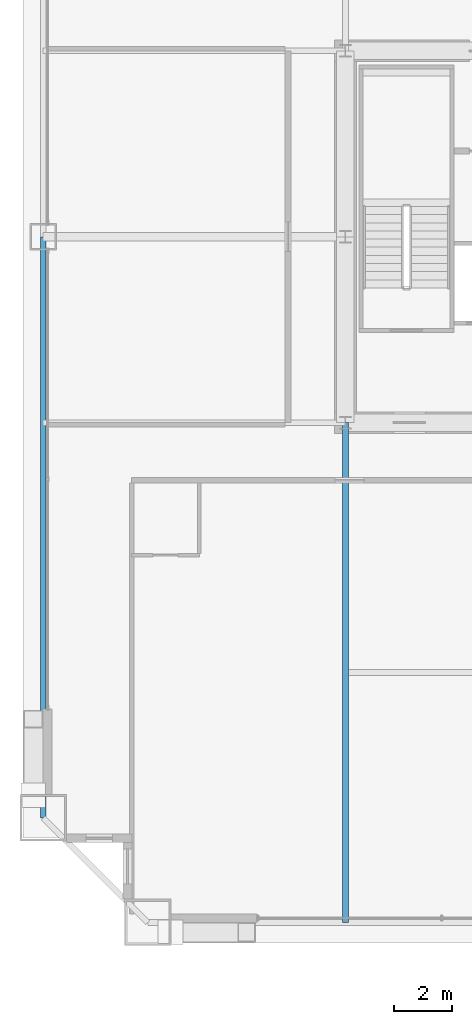
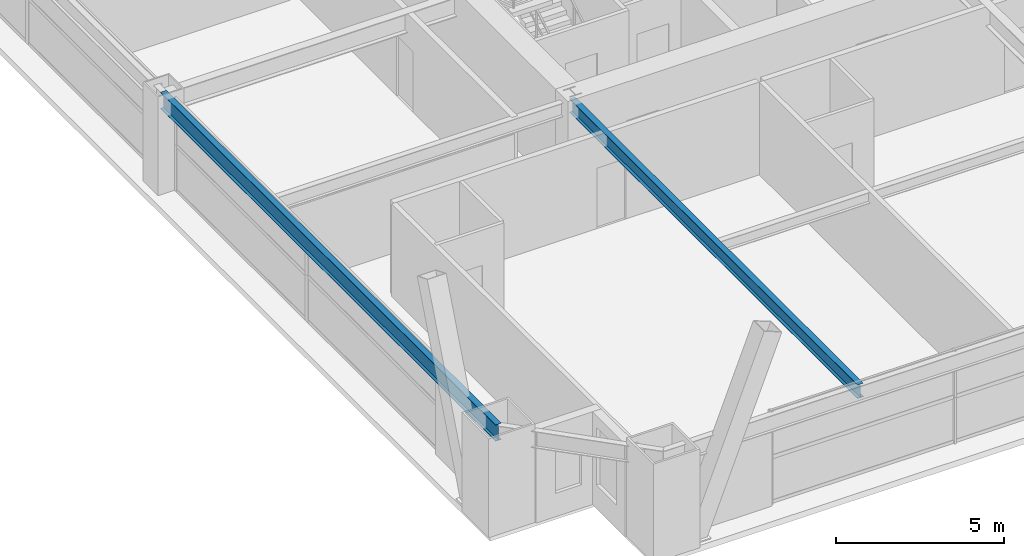
# One storey, part 7 of 43: 2 beams.
"""IFC4 building model written with IfcOpenShell, lengths in metres."""

from ifc_helpers import new_model, si_unit, direction, frame, origin, origin_2d, place, context, subcontext, project, spatial, i_section, extrude, source, transform, mapped, material, material_profile, profile_set, type_object, element, save


model = new_model("IFC4")

# Units and contexts
model_context = context("Model", 3, precision=1e-05, world=origin(), true_north=direction((0.0, 1.0)))
body_context = subcontext(model_context, "Body", "Model", "MODEL_VIEW")
ifc_project = project(units=[si_unit("LENGTHUNIT", "METRE"), si_unit("AREAUNIT", "SQUARE_METRE"), si_unit("VOLUMEUNIT", "CUBIC_METRE"), si_unit("PLANEANGLEUNIT", "RADIAN"), si_unit("MASSUNIT", "GRAM", prefix="KILO"), si_unit("THERMODYNAMICTEMPERATUREUNIT", "KELVIN"), si_unit("POWERUNIT", "WATT")], contexts=[model_context])

# Site, building, storey
site_placement = place(None, origin())
site = spatial("IfcSite", under=ifc_project, at=site_placement, CompositionType="ELEMENT")
building_placement = place(site_placement, origin())
building = spatial("IfcBuilding", under=site, at=building_placement, Name="Yuzanri Waterfront Tower", CompositionType="ELEMENT")
storey_placement = place(building_placement, frame((0.0, 0.0, 101.0)))
storey = spatial("IfcBuildingStorey", under=building, at=storey_placement, Name="L26", CompositionType="ELEMENT", Elevation=101.0)

# Beams
ifc_material_1 = material(Name="Steel Q355B", Category="steel")
ifc_material_profile_1 = material_profile(ifc_material_1, i_section(OverallWidth=0.199951171875, OverallDepth=0.60009765625, WebThickness=0.010986328125, FlangeThickness=0.01708984375, at=origin_2d()), Name="HN 600x200x11x17")
ifc_profile_set_1 = profile_set([ifc_material_profile_1], Name="Steel Q355B")
beam_type_1 = type_object("IfcBeamType", Name="Perimeter Spandrel Q355B HN 600x200", PredefinedType="SPANDREL", material=ifc_profile_set_1)
shared_shape_1 = source(origin(), body_context, "Body", "SweptSolid", [
    extrude(i_section(OverallWidth=0.199951171875, OverallDepth=0.60009765625, WebThickness=0.010986328125, FlangeThickness=0.01708984375, at=origin_2d()), origin(), (0.0, 0.0, 1.0), 20.0),
])
beam_1_placement = place(storey_placement, frame((13.39990234375, 25.800048828125, 3.080078125), z_axis=(0.0, -1.0, 0.0), x_axis=(1.0, 0.0, 0.0)))
element("IfcBeam", 1, at=beam_1_placement, inside=storey, type_object=beam_type_1, Name="L26 Perimeter Spandrel W2-W1", PredefinedType="SPANDREL", context=body_context, shape_type="MappedRepresentation", body=[
    mapped(shared_shape_1, transform((0.0, 0.0, 0.0), scale=1.0)),
])
ifc_material_2 = material(Name="Steel Q355B", Category="steel")
ifc_material_profile_2 = material_profile(ifc_material_2, i_section(OverallWidth=0.199951171875, OverallDepth=0.5, WebThickness=0.010009765625, FlangeThickness=0.01611328125, at=origin_2d()), Name="HN 500x200x10x16")
ifc_profile_set_2 = profile_set([ifc_material_profile_2], Name="Steel Q355B")
beam_type_2 = type_object("IfcBeamType", Name="Secondary Floor Beam Q355B HN 500x200", PredefinedType="BEAM", material=ifc_profile_set_2)
shared_shape_2 = source(origin(), body_context, "Body", "SweptSolid", [
    extrude(i_section(OverallWidth=0.199951171875, OverallDepth=0.5, WebThickness=0.010009765625, FlangeThickness=0.01611328125, at=origin_2d()), origin(), (0.0, 0.0, 1.0), 17.199951171875),
])
beam_2_placement = place(storey_placement, frame((23.800048828125, 19.39990234375, 3.1298828125), z_axis=(0.0, -1.0, 0.0), x_axis=(1.0, 0.0, 0.0)))
element("IfcBeam", 2, at=beam_2_placement, inside=storey, type_object=beam_type_2, Name="L26 South-West Core Line Beam", PredefinedType="BEAM", context=body_context, shape_type="MappedRepresentation", body=[
    mapped(shared_shape_2, transform((0.0, 0.0, 0.0), scale=1.0)),
])

save(model, "model.ifc")
